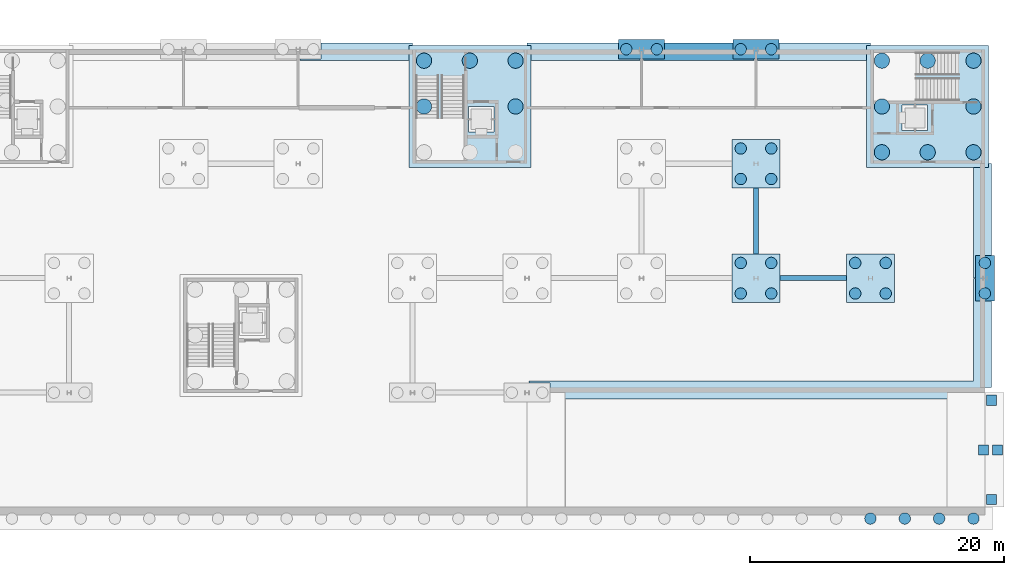
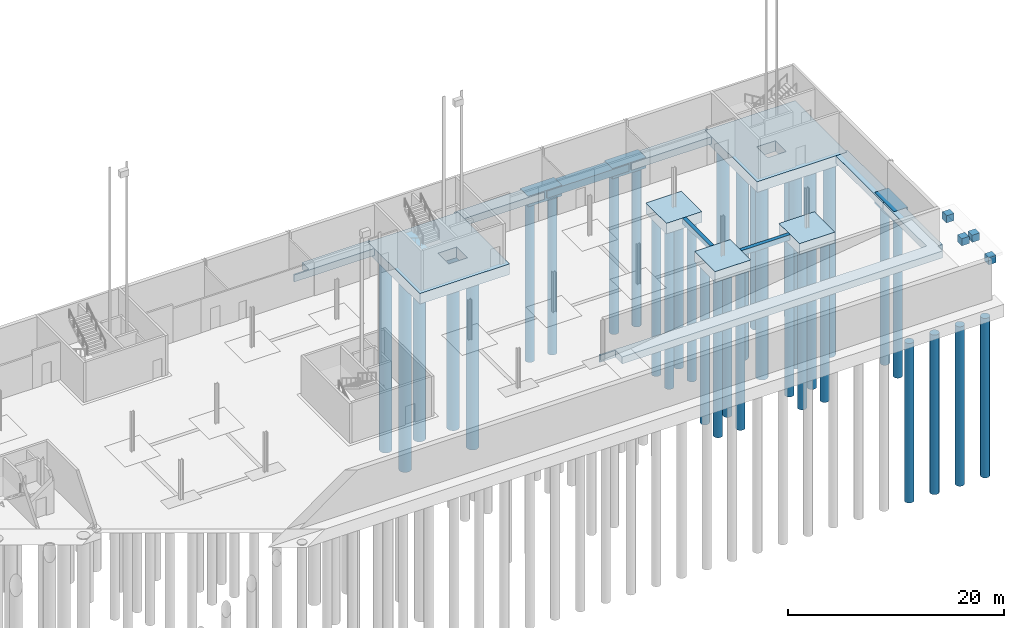
# One storey, part 3 of 41: 35 piles, 20 footings.
"""IFC4 building model written with IfcOpenShell, lengths in metres."""

from ifc_helpers import new_model, si_unit, direction, frame, origin, origin_2d, place, context, subcontext, project, spatial, polyline, rectangle, circle, outline, extrude, material, material_profile, profile_set, type_object, element, save


model = new_model("IFC4")

# Units and contexts
model_context = context("Model", 3, precision=1e-05, world=origin(), true_north=direction((0.0, 1.0)))
body_context = subcontext(model_context, "Body", "Model", "MODEL_VIEW")
ifc_project = project(units=[si_unit("LENGTHUNIT", "METRE"), si_unit("AREAUNIT", "SQUARE_METRE"), si_unit("VOLUMEUNIT", "CUBIC_METRE"), si_unit("PLANEANGLEUNIT", "RADIAN"), si_unit("MASSUNIT", "GRAM", prefix="KILO")], contexts=[model_context])

# Site, building, storey
site_placement = place(None, origin())
site = spatial("IfcSite", under=ifc_project, at=site_placement, CompositionType="ELEMENT")
building_placement = place(site_placement, origin())
building = spatial("IfcBuilding", under=site, at=building_placement, Name="Corbel Yard City Hall", CompositionType="ELEMENT")
storey_placement = place(building_placement, frame((0.0, 0.0, -4.5)))
storey = spatial("IfcBuildingStorey", under=building, at=storey_placement, Name="B1", CompositionType="ELEMENT", Elevation=-4.5)

# Piles
ifc_material = material(Name="Concrete N40 (40 MPa)", Category="concrete")
ifc_material_profile_1 = material_profile(ifc_material, circle(Radius=0.60009765625, at=origin_2d()), Name="D1200")
ifc_profile_set_1 = profile_set([ifc_material_profile_1], Name="Concrete N40 (40 MPa)")
pile_type_1 = type_object("IfcPileType", Name="Bored pile D1200", PredefinedType="BORED", material=ifc_profile_set_1)
for number, where, z_axis, x_axis, name in (
    (1, (135.89990234375, 112.5, -1.10009765625), (0.0, 0.0, -1.0), (1.0, 0.0, 0.0), "Bored pile D1200 under core raft PC13"),
    (2, (135.89990234375, 116.10009765625, -1.10009765625), (0.0, 0.0, -1.0), (1.0, 0.0, 0.0), "Bored pile D1200 under core raft PC13"),
    (3, (139.5, 116.10009765625, -1.10009765625), (0.0, 0.0, -1.0), (1.0, 0.0, 0.0), "Bored pile D1200 under core raft PC13"),
    (4, (143.10009765625, 112.5, -1.10009765625), (0.0, 0.0, -1.0), (1.0, 0.0, 0.0), "Bored pile D1200 under core raft PC13"),
    (5, (143.10009765625, 116.10009765625, -1.10009765625), (0.0, 0.0, -1.0), (1.0, 0.0, 0.0), "Bored pile D1200 under core raft PC13"),
    (6, (171.89990234375, 108.89990234375, -1.10009765625), (0.0, 0.0, -1.0), (1.0, 0.0, 0.0), "Bored pile D1200 under core raft PC13"),
    (7, (171.89990234375, 112.5, -1.10009765625), (0.0, 0.0, -1.0), (1.0, 0.0, 0.0), "Bored pile D1200 under core raft PC13"),
    (8, (171.89990234375, 116.10009765625, -1.10009765625), (0.0, 0.0, -1.0), (1.0, 0.0, 0.0), "Bored pile D1200 under core raft PC13"),
    (9, (175.5, 108.89990234375, -1.10009765625), (0.0, 0.0, -1.0), (1.0, 0.0, 0.0), "Bored pile D1200 under core raft PC13"),
    (10, (175.5, 116.10009765625, -1.10009765625), (0.0, 0.0, -1.0), (1.0, 0.0, 0.0), "Bored pile D1200 under core raft PC13"),
    (11, (179.10009765625, 108.89990234375, -1.10009765625), (0.0, 0.0, -1.0), (1.0, 0.0, 0.0), "Bored pile D1200 under core raft PC13"),
    (12, (179.10009765625, 112.5, -1.10009765625), (0.0, 0.0, -1.0), (1.0, 0.0, 0.0), "Bored pile D1200 under core raft PC13"),
    (13, (179.10009765625, 116.10009765625, -1.10009765625), (0.0, 0.0, -1.0), (1.0, 0.0, 0.0), "Bored pile D1200 under core raft PC13"),
):
    element("IfcPile", number, at=place(storey_placement, frame(where, z_axis=z_axis, x_axis=x_axis)), inside=storey, type_object=pile_type_1, Name=name, PredefinedType="BORED", context=body_context, shape_type="SweptSolid", body=[
        extrude(circle(Radius=0.60009765625, at=origin_2d()), origin(), (0.0, 0.0, 1.0), 22.0),
    ])
ifc_material_profile_2 = material_profile(ifc_material, circle(Radius=0.449951171875, at=origin_2d()), Name="D900")
ifc_profile_set_2 = profile_set([ifc_material_profile_2], Name="Concrete N40 (40 MPa)")
pile_type_2 = type_object("IfcPileType", Name="Bored pile D900", PredefinedType="BORED", material=ifc_profile_set_2)
for number, where, z_axis, x_axis, name in (
    (14, (151.800048828125, 117.0, -1.10009765625), (0.0, 0.0, -1.0), (1.0, 0.0, 0.0), "Bored pile D900 under cap PC4 N/18"),
    (15, (154.199951171875, 117.0, -1.10009765625), (0.0, 0.0, -1.0), (1.0, 0.0, 0.0), "Bored pile D900 under cap PC4 N/18"),
    (16, (160.800048828125, 97.800048828125, -1.10009765625), (0.0, 0.0, -1.0), (1.0, 0.0, 0.0), "Bored pile D900 under cap PC9 L/19"),
    (17, (160.800048828125, 100.199951171875, -1.10009765625), (0.0, 0.0, -1.0), (1.0, 0.0, 0.0), "Bored pile D900 under cap PC9 L/19"),
    (18, (163.199951171875, 97.800048828125, -1.10009765625), (0.0, 0.0, -1.0), (1.0, 0.0, 0.0), "Bored pile D900 under cap PC9 L/19"),
    (19, (163.199951171875, 100.199951171875, -1.10009765625), (0.0, 0.0, -1.0), (1.0, 0.0, 0.0), "Bored pile D900 under cap PC9 L/19"),
    (20, (160.800048828125, 106.800048828125, -1.10009765625), (0.0, 0.0, -1.0), (1.0, 0.0, 0.0), "Bored pile D900 under cap PC9 M/19"),
    (21, (160.800048828125, 109.199951171875, -1.10009765625), (0.0, 0.0, -1.0), (1.0, 0.0, 0.0), "Bored pile D900 under cap PC9 M/19"),
    (22, (163.199951171875, 106.800048828125, -1.10009765625), (0.0, 0.0, -1.0), (1.0, 0.0, 0.0), "Bored pile D900 under cap PC9 M/19"),
    (23, (163.199951171875, 109.199951171875, -1.10009765625), (0.0, 0.0, -1.0), (1.0, 0.0, 0.0), "Bored pile D900 under cap PC9 M/19"),
    (24, (160.800048828125, 117.0, -1.10009765625), (0.0, 0.0, -1.0), (1.0, 0.0, 0.0), "Bored pile D900 under cap PC4 N/19"),
    (25, (163.199951171875, 117.0, -1.10009765625), (0.0, 0.0, -1.0), (1.0, 0.0, 0.0), "Bored pile D900 under cap PC4 N/19"),
    (26, (169.800048828125, 97.800048828125, -1.10009765625), (0.0, 0.0, -1.0), (1.0, 0.0, 0.0), "Bored pile D900 under cap PC9 L/20"),
    (27, (169.800048828125, 100.199951171875, -1.10009765625), (0.0, 0.0, -1.0), (1.0, 0.0, 0.0), "Bored pile D900 under cap PC9 L/20"),
    (28, (172.199951171875, 97.800048828125, -1.10009765625), (0.0, 0.0, -1.0), (1.0, 0.0, 0.0), "Bored pile D900 under cap PC9 L/20"),
    (29, (172.199951171875, 100.199951171875, -1.10009765625), (0.0, 0.0, -1.0), (1.0, 0.0, 0.0), "Bored pile D900 under cap PC9 L/20"),
    (30, (180.0, 97.800048828125, -1.10009765625), (0.0, 0.0, -1.0), (1.0, 0.0, 0.0), "Bored pile D900 under cap PC10 L/21"),
    (31, (180.0, 100.199951171875, -1.10009765625), (0.0, 0.0, -1.0), (1.0, 0.0, 0.0), "Bored pile D900 under cap PC10 L/21"),
    (32, (171.0, 80.10009765625, -1.300048828125), (0.0, 0.0, -1.0), (1.0, 0.0, 0.0), "Bored pile D900 under pile-cap strip PC14"),
    (33, (173.699951171875, 80.10009765625, -1.300048828125), (0.0, 0.0, -1.0), (1.0, 0.0, 0.0), "Bored pile D900 under pile-cap strip PC14"),
    (34, (176.39990234375, 80.10009765625, -1.300048828125), (0.0, 0.0, -1.0), (1.0, 0.0, 0.0), "Bored pile D900 under pile-cap strip PC14"),
    (35, (179.10009765625, 80.10009765625, -1.300048828125), (0.0, 0.0, -1.0), (1.0, 0.0, 0.0), "Bored pile D900 under pile-cap strip PC14"),
):
    element("IfcPile", number, at=place(storey_placement, frame(where, z_axis=z_axis, x_axis=x_axis)), inside=storey, type_object=pile_type_2, Name=name, PredefinedType="BORED", context=body_context, shape_type="SweptSolid", body=[
        extrude(circle(Radius=0.449951171875, at=origin_2d()), origin(), (0.0, 0.0, 1.0), 18.0),
    ])

# Footings
footing_type_1 = type_object("IfcFootingType", Name="Core cell raft 9.6 x 9.6 x 1.2", PredefinedType="PILE_CAP", material=ifc_material)
footing_1_placement = place(storey_placement, frame((0.0, 0.0, -1.199951171875)))
element("IfcFooting", 36, at=footing_1_placement, inside=storey, type_object=footing_type_1, Name="Core cell raft PC13 PC-N3", PredefinedType="PILE_CAP", context=body_context, shape_type="SweptSolid", body=[
    extrude(outline(polyline([(134.699951171875, 107.699951171875), (144.300048828125, 107.699951171875), (144.300048828125, 117.300048828125), (134.699951171875, 117.300048828125), (134.699951171875, 107.699951171875)]), holes=[polyline([(139.39990234375, 110.5), (139.39990234375, 112.5), (141.39990234375, 112.5), (141.39990234375, 110.5), (139.39990234375, 110.5)])]), origin(), (0.0, 0.0, 1.0), 1.199951171875),
])
footing_2_placement = place(storey_placement, frame((0.0, 0.0, -1.199951171875)))
element("IfcFooting", 37, at=footing_2_placement, inside=storey, type_object=footing_type_1, Name="Core cell raft PC13 PC-N4", PredefinedType="PILE_CAP", context=body_context, shape_type="SweptSolid", body=[
    extrude(outline(polyline([(170.699951171875, 107.699951171875), (180.300048828125, 107.699951171875), (180.300048828125, 117.300048828125), (170.699951171875, 117.300048828125), (170.699951171875, 107.699951171875)]), holes=[polyline([(173.5, 110.60009765625), (173.5, 112.60009765625), (175.5, 112.60009765625), (175.5, 110.60009765625), (173.5, 110.60009765625)])]), origin(), (0.0, 0.0, 1.0), 1.199951171875),
])
footing_type_2 = type_object("IfcFootingType", Name="Ground beam 400 x 600", PredefinedType="FOOTING_BEAM", material=ifc_material)
footing_3_placement = place(storey_placement, frame((166.5, 99.0, -0.60009765625), z_axis=(0.0, 0.0, 1.0), x_axis=(1.0, 0.0, 0.0)))
element("IfcFooting", 38, at=footing_3_placement, inside=storey, type_object=footing_type_2, Name="Ground beam 400 x 600 L/19-L/20", PredefinedType="FOOTING_BEAM", context=body_context, shape_type="SweptSolid", body=[
    extrude(rectangle(XDim=5.199951171875, YDim=0.39990234375, at=origin_2d()), origin(), (0.0, 0.0, 1.0), 0.60009765625),
])
footing_4_placement = place(storey_placement, frame((162.0, 103.5, -0.60009765625), z_axis=(0.0, 0.0, 1.0), x_axis=(1.0, 0.0, 0.0)))
element("IfcFooting", 39, at=footing_4_placement, inside=storey, type_object=footing_type_2, Name="Ground beam 400 x 600 L/19-M/19", PredefinedType="FOOTING_BEAM", context=body_context, shape_type="SweptSolid", body=[
    extrude(rectangle(XDim=0.39990234375, YDim=5.199951171875, at=origin_2d()), origin(), (0.0, 0.0, 1.0), 0.60009765625),
])
footing_type_3 = type_object("IfcFootingType", Name="Pile cap (basement column) 3.8 x 3.8 x 1.2", PredefinedType="PILE_CAP", material=ifc_material)
for number, where, z_axis, x_axis, name in (
    (40, (162.0, 99.0, -1.2001953125), (0.0, 0.0, 1.0), (1.0, 0.0, 0.0), "Pile cap PC9 L/19"),
    (41, (162.0, 108.0, -1.2001953125), (0.0, 0.0, 1.0), (1.0, 0.0, 0.0), "Pile cap PC9 M/19"),
    (42, (171.0, 99.0, -1.2001953125), (0.0, 0.0, 1.0), (1.0, 0.0, 0.0), "Pile cap PC9 L/20"),
):
    element("IfcFooting", number, at=place(storey_placement, frame(where, z_axis=z_axis, x_axis=x_axis)), inside=storey, type_object=footing_type_3, Name=name, PredefinedType="PILE_CAP", context=body_context, shape_type="SweptSolid", body=[
        extrude(rectangle(XDim=3.800048828125, YDim=3.800048828125, at=origin_2d()), origin(), (0.0, 0.0, 1.0), 1.199951171875),
    ])
footing_type_4 = type_object("IfcFootingType", Name="Pile cap (edge column, two piles) 1.5 x 3.6 x 1.2", PredefinedType="PILE_CAP", material=ifc_material)
footing_5_placement = place(storey_placement, frame((180.0, 99.0, -1.2001953125), z_axis=(0.0, 0.0, 1.0), x_axis=(1.0, 0.0, 0.0)))
element("IfcFooting", 43, at=footing_5_placement, inside=storey, type_object=footing_type_4, Name="Pile cap PC10 L/21", PredefinedType="PILE_CAP", context=body_context, shape_type="SweptSolid", body=[
    extrude(rectangle(XDim=1.5, YDim=3.60009765625, at=origin_2d()), origin(), (0.0, 0.0, 1.0), 1.199951171875),
])
footing_type_5 = type_object("IfcFootingType", Name="Pile cap (edge column, two piles) 3.6 x 1.5 x 1.2", PredefinedType="PILE_CAP", material=ifc_material)
for number, where, z_axis, x_axis, name in (
    (44, (153.0, 117.0, -1.2001953125), (0.0, 0.0, 1.0), (1.0, 0.0, 0.0), "Pile cap PC4 N/18"),
    (45, (162.0, 117.0, -1.2001953125), (0.0, 0.0, 1.0), (1.0, 0.0, 0.0), "Pile cap PC4 N/19"),
):
    element("IfcFooting", number, at=place(storey_placement, frame(where, z_axis=z_axis, x_axis=x_axis)), inside=storey, type_object=footing_type_5, Name=name, PredefinedType="PILE_CAP", context=body_context, shape_type="SweptSolid", body=[
        extrude(rectangle(XDim=3.60009765625, YDim=1.5, at=origin_2d()), origin(), (0.0, 0.0, 1.0), 1.199951171875),
    ])
footing_type_6 = type_object("IfcFootingType", Name="Ramp Landing Pad Footing", PredefinedType="PAD_FOOTING", material=ifc_material)
footing_6_placement = place(storey_placement, frame((0.0, 0.0, 3.39990234375)))
element("IfcFooting", 46, at=footing_6_placement, inside=storey, type_object=footing_type_6, Name="Ramp landing pad footing 1", PredefinedType="PAD_FOOTING", context=body_context, shape_type="SweptSolid", body=[
    extrude(outline(polyline([(180.12109375, 81.199951171875), (180.9208984375, 81.199951171875), (180.9208984375, 82.0), (180.12109375, 82.0), (180.12109375, 81.199951171875)])), origin(), (0.0, 0.0, 1.0), 0.800048828125),
])
footing_7_placement = place(storey_placement, frame((0.0, 0.0, 3.39990234375)))
element("IfcFooting", 47, at=footing_7_placement, inside=storey, type_object=footing_type_6, Name="Ramp landing pad footing 2", PredefinedType="PAD_FOOTING", context=body_context, shape_type="SweptSolid", body=[
    extrude(outline(polyline([(180.12109375, 89.0), (180.9208984375, 89.0), (180.9208984375, 89.800048828125), (180.12109375, 89.800048828125), (180.12109375, 89.0)])), origin(), (0.0, 0.0, 1.0), 0.800048828125),
])
footing_8_placement = place(storey_placement, frame((0.0, 0.0, 3.39990234375)))
element("IfcFooting", 48, at=footing_8_placement, inside=storey, type_object=footing_type_6, Name="Ramp landing pad footing 3", PredefinedType="PAD_FOOTING", context=body_context, shape_type="SweptSolid", body=[
    extrude(outline(polyline([(180.60009765625, 85.10009765625), (181.39990234375, 85.10009765625), (181.39990234375, 85.89990234375), (180.60009765625, 85.89990234375), (180.60009765625, 85.10009765625)])), origin(), (0.0, 0.0, 1.0), 0.800048828125),
])
footing_9_placement = place(storey_placement, frame((0.0, 0.0, 3.39990234375)))
element("IfcFooting", 49, at=footing_9_placement, inside=storey, type_object=footing_type_6, Name="Ramp landing pad footing 4", PredefinedType="PAD_FOOTING", context=body_context, shape_type="SweptSolid", body=[
    extrude(outline(polyline([(179.5, 85.10009765625), (180.300048828125, 85.10009765625), (180.300048828125, 85.89990234375), (179.5, 85.89990234375), (179.5, 85.10009765625)])), origin(), (0.0, 0.0, 1.0), 0.800048828125),
])
footing_type_7 = type_object("IfcFootingType", Name="Strip footing", PredefinedType="PILE_CAP", material=ifc_material)
footing_10_placement = place(storey_placement, frame((0.0, 0.0, -0.800048828125)))
element("IfcFooting", 50, at=footing_10_placement, inside=storey, type_object=footing_type_7, Name="Strip footing PC15 2", PredefinedType="PILE_CAP", context=body_context, shape_type="SweptSolid", body=[
    extrude(outline(polyline([(145.800048828125, 90.75), (145.800048828125, 89.5), (180.0, 89.5), (180.0, 90.39990234375), (180.5, 90.39990234375), (180.5, 97.199951171875), (179.25, 97.199951171875), (179.25, 98.9921875), (179.10009765625, 98.9921875), (179.10009765625, 90.89990234375), (144.138427734375, 90.89990234375), (144.138427734375, 90.75), (145.800048828125, 90.75)])), origin(), (0.0, 0.0, 1.0), 0.800048828125),
])
footing_11_placement = place(storey_placement, frame((0.0, 0.0, -0.800048828125)))
element("IfcFooting", 51, at=footing_11_placement, inside=storey, type_object=footing_type_7, Name="Strip footing PC15 4", PredefinedType="PILE_CAP", context=body_context, shape_type="SweptSolid", body=[
    extrude(outline(polyline([(180.5, 108.0), (180.300048828125, 108.0), (180.300048828125, 107.699951171875), (179.10009765625, 107.699951171875), (179.10009765625, 99.0078125), (179.25, 99.0078125), (179.25, 100.800048828125), (180.5, 100.800048828125), (180.5, 108.0)])), origin(), (0.0, 0.0, 1.0), 0.800048828125),
])
footing_12_placement = place(storey_placement, frame((0.0, 0.0, -0.800048828125)))
element("IfcFooting", 52, at=footing_12_placement, inside=storey, type_object=footing_type_7, Name="Strip footing PC15 15", PredefinedType="PILE_CAP", context=body_context, shape_type="SweptSolid", body=[
    extrude(outline(polyline([(126.138427734375, 116.25), (126.138427734375, 116.10009765625), (134.699951171875, 116.10009765625), (134.699951171875, 117.300048828125), (135.0, 117.300048828125), (135.0, 117.5), (127.800048828125, 117.5), (127.800048828125, 116.25), (126.138427734375, 116.25)])), origin(), (0.0, 0.0, 1.0), 0.800048828125),
])
footing_13_placement = place(storey_placement, frame((0.0, 0.0, -0.800048828125)))
element("IfcFooting", 53, at=footing_13_placement, inside=storey, type_object=footing_type_7, Name="Strip footing PC15 16", PredefinedType="PILE_CAP", context=body_context, shape_type="SweptSolid", body=[
    extrude(outline(polyline([(144.300048828125, 117.300048828125), (144.300048828125, 116.10009765625), (152.861572265625, 116.10009765625), (152.861572265625, 116.25), (151.199951171875, 116.25), (151.199951171875, 117.5), (144.0, 117.5), (144.0, 117.300048828125), (144.300048828125, 117.300048828125)])), origin(), (0.0, 0.0, 1.0), 0.800048828125),
])
footing_14_placement = place(storey_placement, frame((0.0, 0.0, -0.800048828125)))
element("IfcFooting", 54, at=footing_14_placement, inside=storey, type_object=footing_type_7, Name="Strip footing PC15 17", PredefinedType="PILE_CAP", context=body_context, shape_type="SweptSolid", body=[
    extrude(outline(polyline([(161.861572265625, 116.25), (160.199951171875, 116.25), (160.199951171875, 117.5), (154.800048828125, 117.5), (154.800048828125, 116.25), (153.138427734375, 116.25), (153.138427734375, 116.10009765625), (161.861572265625, 116.10009765625), (161.861572265625, 116.25)])), origin(), (0.0, 0.0, 1.0), 0.800048828125),
])
footing_15_placement = place(storey_placement, frame((0.0, 0.0, -0.800048828125)))
element("IfcFooting", 55, at=footing_15_placement, inside=storey, type_object=footing_type_7, Name="Strip footing PC15 18", PredefinedType="PILE_CAP", context=body_context, shape_type="SweptSolid", body=[
    extrude(outline(polyline([(171.0, 117.5), (163.800048828125, 117.5), (163.800048828125, 116.25), (162.138427734375, 116.25), (162.138427734375, 116.10009765625), (170.699951171875, 116.10009765625), (170.699951171875, 117.300048828125), (171.0, 117.300048828125), (171.0, 117.5)])), origin(), (0.0, 0.0, 1.0), 0.800048828125),
])

save(model, "model.ifc")
